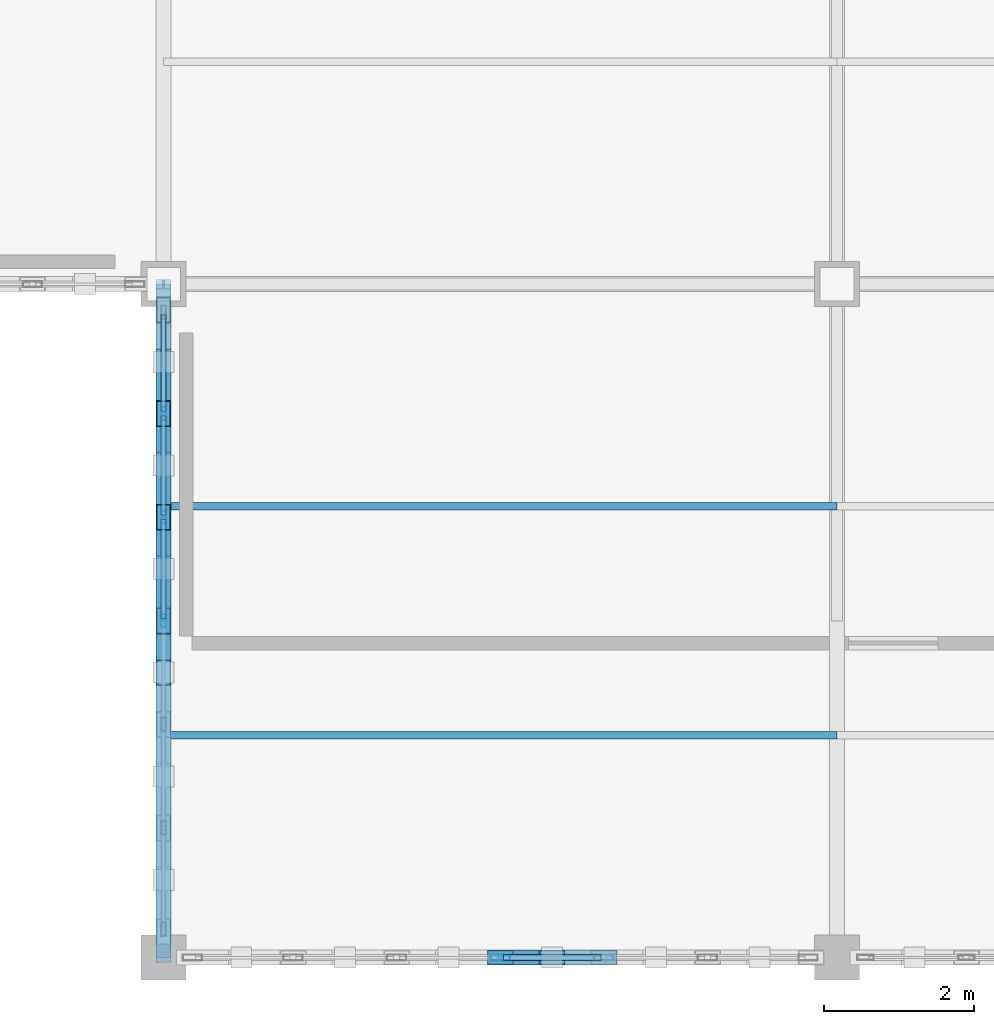
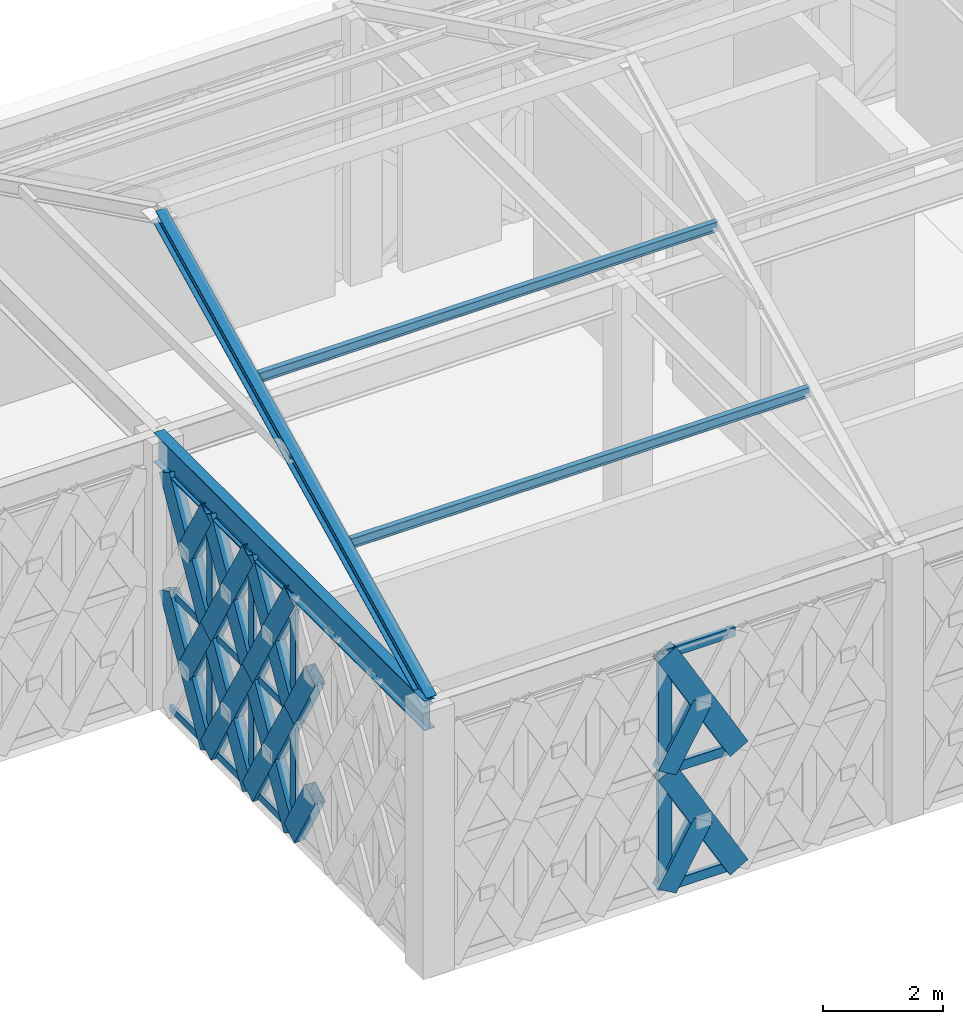
# One storey, part 3 of 32: 41 members, 1 beam, 2 elements without a shape of their own.
"""IFC4 building model written with IfcOpenShell, lengths in metres."""

from ifc_helpers import new_model, si_unit, direction, frame, origin, origin_2d, place, context, subcontext, project, spatial, hollow_rectangle, i_section, extrude, material, material_profile, profile_set, type_object, element, aggregate, save


model = new_model("IFC4")

# Units and contexts
model_context = context("Model", 3, precision=1e-05, world=origin(), true_north=direction((0.0, 1.0)))
body_context = subcontext(model_context, "Body", "Model", "MODEL_VIEW")
ifc_project = project(units=[si_unit("LENGTHUNIT", "METRE"), si_unit("AREAUNIT", "SQUARE_METRE"), si_unit("VOLUMEUNIT", "CUBIC_METRE"), si_unit("PLANEANGLEUNIT", "RADIAN"), si_unit("MASSUNIT", "GRAM", prefix="KILO")], contexts=[model_context])

# Site, building, storey
site_placement = place(None, origin())
site = spatial("IfcSite", under=ifc_project, at=site_placement, CompositionType="ELEMENT")
building_placement = place(site_placement, origin())
building = spatial("IfcBuilding", under=site, at=building_placement, Name="Haizhuo Lancet Aquarium", CompositionType="ELEMENT")
storey_placement = place(building_placement, frame((0.0, 0.0, 27.0)))
storey = spatial("IfcBuildingStorey", under=building, at=storey_placement, Name="L05", CompositionType="ELEMENT", Elevation=27.0)

# Beam
ifc_material_1 = material(Name="Steel S355", Category="steel")
ifc_material_profile_1 = material_profile(ifc_material_1, i_section(OverallWidth=0.199951171875, OverallDepth=0.60009765625, WebThickness=0.010986328125, FlangeThickness=0.01708984375, FilletRadius=0.02197265625, at=origin_2d()), Name="HN 600x200x11x17")
ifc_profile_set_1 = profile_set([ifc_material_profile_1], Name="Steel S355")
beam_type = type_object("IfcBeamType", Name="BM-ST-HN600", PredefinedType="BEAM", material=ifc_profile_set_1)
beam_placement = place(storey_placement, frame((-72.0, -27.0, 5.10009765625), z_axis=(0.0, 1.0, 0.0), x_axis=(-1.0, 0.0, 0.0)))
element("IfcBeam", 1, at=beam_placement, inside=storey, type_object=beam_type, Name="L05 V6 primary girder BM-L05-V6-004", PredefinedType="BEAM", context=body_context, shape_type="SweptSolid", body=[
    extrude(i_section(OverallWidth=0.199951171875, OverallDepth=0.60009765625, WebThickness=0.010986328125, FlangeThickness=0.01708984375, FilletRadius=0.02197265625, at=origin_2d()), origin(), (0.0, 0.0, 1.0), 9.0),
])

# Curtain wall, members
ifc_material_2 = material(Name="Aluminium 6063-T6", Category="aluminium")
curtain_wall_type = type_object("IfcCurtainWallType", Name="CWD-8310x4800", PredefinedType="NOTDEFINED", material=ifc_material_2)
curtain_wall_1_placement = place(storey_placement, origin())
curtain_wall_1 = element("IfcCurtainWall", 2, at=curtain_wall_1_placement, inside=storey, type_object=curtain_wall_type, Name="L05 curtain wall CW-V6-L05-271", PredefinedType="NOTDEFINED")
ifc_material_profile_2 = material_profile(ifc_material_2, hollow_rectangle(XDim=0.06494140625, YDim=0.179931640625, WallThickness=0.00390625, at=origin_2d()), Name="ALU-M 65x180x4")
ifc_profile_set_2 = profile_set([ifc_material_profile_2], Name="Aluminium 6063-T6")
member_type_1 = type_object("IfcMemberType", Name="CW-MUL-1", PredefinedType="MULLION", material=ifc_profile_set_2)
member_1_placement = place(storey_placement, frame((-72.0, -22.5, 0.0), z_axis=(0.0, 0.0, 1.0), x_axis=(-1.0, 0.0, 0.0)))
member_1 = element("IfcMember", 3, at=member_1_placement, type_object=member_type_1, Name="CWD-83x48 mullion 4", PredefinedType="MULLION", context=body_context, shape_type="SweptSolid", body=[
    extrude(hollow_rectangle(XDim=0.06494140625, YDim=0.179931640625, WallThickness=0.00390625, at=origin_2d()), origin(), (0.0, 0.0, 1.0), 4.800048828125),
])
member_2_placement = place(storey_placement, frame((-72.0, -21.114990234375, 0.0), z_axis=(0.0, 0.0, 1.0), x_axis=(-1.0, 0.0, 0.0)))
member_2 = element("IfcMember", 4, at=member_2_placement, type_object=member_type_1, Name="CWD-83x48 mullion 5", PredefinedType="MULLION", context=body_context, shape_type="SweptSolid", body=[
    extrude(hollow_rectangle(XDim=0.06494140625, YDim=0.179931640625, WallThickness=0.00390625, at=origin_2d()), origin(), (0.0, 0.0, 1.0), 4.800048828125),
])
member_3_placement = place(storey_placement, frame((-72.0, -19.72998046875, 0.0), z_axis=(0.0, 0.0, 1.0), x_axis=(-1.0, 0.0, 0.0)))
member_3 = element("IfcMember", 5, at=member_3_placement, type_object=member_type_1, Name="CWD-83x48 mullion 6", PredefinedType="MULLION", context=body_context, shape_type="SweptSolid", body=[
    extrude(hollow_rectangle(XDim=0.06494140625, YDim=0.179931640625, WallThickness=0.00390625, at=origin_2d()), origin(), (0.0, 0.0, 1.0), 4.800048828125),
])

# Curtain wall, member
curtain_wall_2_placement = place(storey_placement, origin())
curtain_wall_2 = element("IfcCurtainWall", 6, at=curtain_wall_2_placement, inside=storey, type_object=curtain_wall_type, Name="L05 curtain wall CW-V6-L05-270", PredefinedType="NOTDEFINED")
ifc_material_profile_3 = material_profile(ifc_material_2, hollow_rectangle(XDim=0.080078125, YDim=0.260009765625, WallThickness=0.0048828125, at=origin_2d()), Name="ALU-M 80x260x5")
ifc_profile_set_3 = profile_set([ifc_material_profile_3], Name="Aluminium 6063-T6")
member_type_2 = type_object("IfcMemberType", Name="CW-MUL-3", PredefinedType="MULLION", material=ifc_profile_set_3)
member_4_placement = place(storey_placement, frame((-67.5, -27.0, 0.0), z_axis=(0.0, 0.0, 1.0), x_axis=(0.0, -1.0, 0.0)))
member_4 = element("IfcMember", 7, at=member_4_placement, type_object=member_type_2, Name="CWD-83x48 mullion 4", PredefinedType="MULLION", context=body_context, shape_type="SweptSolid", body=[
    extrude(hollow_rectangle(XDim=0.080078125, YDim=0.260009765625, WallThickness=0.0048828125, at=origin_2d()), origin(), (0.0, 0.0, 1.0), 4.800048828125),
])

# Member
ifc_material_profile_4 = material_profile(ifc_material_2, hollow_rectangle(XDim=0.06494140625, YDim=0.139892578125, WallThickness=0.00390625, at=origin_2d()), Name="ALU-T 65x140x4")
ifc_profile_set_4 = profile_set([ifc_material_profile_4], Name="Aluminium 6063-T6")
member_type_3 = type_object("IfcMemberType", Name="CW-TRN-1", PredefinedType="NOTDEFINED", material=ifc_profile_set_4)
member_5_placement = place(storey_placement, frame((-72.0, -22.468017578125, 0.031982421875), z_axis=(0.0, 1.0, 0.0), x_axis=(-1.0, 0.0, 0.0)))
member_5 = element("IfcMember", 8, at=member_5_placement, type_object=member_type_3, Name="CWD-83x48 transom 4.1", ObjectType="TRANSOM", PredefinedType="USERDEFINED", context=body_context, shape_type="SweptSolid", body=[
    extrude(hollow_rectangle(XDim=0.06494140625, YDim=0.139892578125, WallThickness=0.00390625, at=origin_2d()), origin(), (0.0, 0.0, 1.0), 1.320068359375),
])

member_6_placement = place(storey_placement, frame((-72.0, -22.468017578125, 2.39990234375), z_axis=(0.0, 1.0, 0.0), x_axis=(-1.0, 0.0, 0.0)))
member_6 = element("IfcMember", 9, at=member_6_placement, type_object=member_type_3, Name="CWD-83x48 transom 4.2", ObjectType="TRANSOM", PredefinedType="USERDEFINED", context=body_context, shape_type="SweptSolid", body=[
    extrude(hollow_rectangle(XDim=0.06494140625, YDim=0.139892578125, WallThickness=0.00390625, at=origin_2d()), origin(), (0.0, 0.0, 1.0), 1.320068359375),
])

member_7_placement = place(storey_placement, frame((-72.0, -22.468017578125, 4.76806640625), z_axis=(0.0, 1.0, 0.0), x_axis=(-1.0, 0.0, 0.0)))
member_7 = element("IfcMember", 10, at=member_7_placement, type_object=member_type_3, Name="CWD-83x48 transom 4.3", ObjectType="TRANSOM", PredefinedType="USERDEFINED", context=body_context, shape_type="SweptSolid", body=[
    extrude(hollow_rectangle(XDim=0.06494140625, YDim=0.139892578125, WallThickness=0.00390625, at=origin_2d()), origin(), (0.0, 0.0, 1.0), 1.320068359375),
])

member_8_placement = place(storey_placement, frame((-72.0, -21.08203125, 0.031982421875), z_axis=(0.0, 1.0, 0.0), x_axis=(-1.0, 0.0, 0.0)))
member_8 = element("IfcMember", 11, at=member_8_placement, type_object=member_type_3, Name="CWD-83x48 transom 5.1", ObjectType="TRANSOM", PredefinedType="USERDEFINED", context=body_context, shape_type="SweptSolid", body=[
    extrude(hollow_rectangle(XDim=0.06494140625, YDim=0.139892578125, WallThickness=0.00390625, at=origin_2d()), origin(), (0.0, 0.0, 1.0), 1.320068359375),
])

member_9_placement = place(storey_placement, frame((-72.0, -21.08203125, 2.39990234375), z_axis=(0.0, 1.0, 0.0), x_axis=(-1.0, 0.0, 0.0)))
member_9 = element("IfcMember", 12, at=member_9_placement, type_object=member_type_3, Name="CWD-83x48 transom 5.2", ObjectType="TRANSOM", PredefinedType="USERDEFINED", context=body_context, shape_type="SweptSolid", body=[
    extrude(hollow_rectangle(XDim=0.06494140625, YDim=0.139892578125, WallThickness=0.00390625, at=origin_2d()), origin(), (0.0, 0.0, 1.0), 1.320068359375),
])

member_10_placement = place(storey_placement, frame((-72.0, -21.08203125, 4.76806640625), z_axis=(0.0, 1.0, 0.0), x_axis=(-1.0, 0.0, 0.0)))
member_10 = element("IfcMember", 13, at=member_10_placement, type_object=member_type_3, Name="CWD-83x48 transom 5.3", ObjectType="TRANSOM", PredefinedType="USERDEFINED", context=body_context, shape_type="SweptSolid", body=[
    extrude(hollow_rectangle(XDim=0.06494140625, YDim=0.139892578125, WallThickness=0.00390625, at=origin_2d()), origin(), (0.0, 0.0, 1.0), 1.320068359375),
])

member_11_placement = place(storey_placement, frame((-72.0, -19.697021484375, 0.031982421875), z_axis=(0.0, 1.0, 0.0), x_axis=(-1.0, 0.0, 0.0)))
member_11 = element("IfcMember", 14, at=member_11_placement, type_object=member_type_3, Name="CWD-83x48 transom 6.1", ObjectType="TRANSOM", PredefinedType="USERDEFINED", context=body_context, shape_type="SweptSolid", body=[
    extrude(hollow_rectangle(XDim=0.06494140625, YDim=0.139892578125, WallThickness=0.00390625, at=origin_2d()), origin(), (0.0, 0.0, 1.0), 1.287109375),
])

member_12_placement = place(storey_placement, frame((-72.0, -19.697021484375, 2.39990234375), z_axis=(0.0, 1.0, 0.0), x_axis=(-1.0, 0.0, 0.0)))
member_12 = element("IfcMember", 15, at=member_12_placement, type_object=member_type_3, Name="CWD-83x48 transom 6.2", ObjectType="TRANSOM", PredefinedType="USERDEFINED", context=body_context, shape_type="SweptSolid", body=[
    extrude(hollow_rectangle(XDim=0.06494140625, YDim=0.139892578125, WallThickness=0.00390625, at=origin_2d()), origin(), (0.0, 0.0, 1.0), 1.287109375),
])

member_13_placement = place(storey_placement, frame((-72.0, -19.697021484375, 4.76806640625), z_axis=(0.0, 1.0, 0.0), x_axis=(-1.0, 0.0, 0.0)))
member_13 = element("IfcMember", 16, at=member_13_placement, type_object=member_type_3, Name="CWD-83x48 transom 6.3", ObjectType="TRANSOM", PredefinedType="USERDEFINED", context=body_context, shape_type="SweptSolid", body=[
    extrude(hollow_rectangle(XDim=0.06494140625, YDim=0.139892578125, WallThickness=0.00390625, at=origin_2d()), origin(), (0.0, 0.0, 1.0), 1.287109375),
])

aggregate(curtain_wall_1, [member_1, member_2, member_3, member_5, member_6, member_7, member_8, member_9, member_10, member_11, member_12, member_13])

ifc_material_profile_5 = material_profile(ifc_material_2, hollow_rectangle(XDim=0.080078125, YDim=0.18994140625, WallThickness=0.0048828125, at=origin_2d()), Name="ALU-T 80x190x5")
ifc_profile_set_5 = profile_set([ifc_material_profile_5], Name="Aluminium 6063-T6")
member_type_4 = type_object("IfcMemberType", Name="CW-TRN-3", PredefinedType="NOTDEFINED", material=ifc_profile_set_5)
member_14_placement = place(storey_placement, frame((-66.155029296875, -27.0, 0.0400390625), z_axis=(-1.0, 0.0, 0.0), x_axis=(0.0, -1.0, 0.0)))
member_14 = element("IfcMember", 17, at=member_14_placement, type_object=member_type_4, Name="CWD-83x48 transom 3.1", ObjectType="TRANSOM", PredefinedType="USERDEFINED", context=body_context, shape_type="SweptSolid", body=[
    extrude(hollow_rectangle(XDim=0.080078125, YDim=0.18994140625, WallThickness=0.0048828125, at=origin_2d()), origin(), (0.0, 0.0, 1.0), 1.304931640625),
])

member_15_placement = place(storey_placement, frame((-66.155029296875, -27.0, 2.39990234375), z_axis=(-1.0, 0.0, 0.0), x_axis=(0.0, -1.0, 0.0)))
member_15 = element("IfcMember", 18, at=member_15_placement, type_object=member_type_4, Name="CWD-83x48 transom 3.2", ObjectType="TRANSOM", PredefinedType="USERDEFINED", context=body_context, shape_type="SweptSolid", body=[
    extrude(hollow_rectangle(XDim=0.080078125, YDim=0.18994140625, WallThickness=0.0048828125, at=origin_2d()), origin(), (0.0, 0.0, 1.0), 1.304931640625),
])

member_16_placement = place(storey_placement, frame((-66.155029296875, -27.0, 4.760009765625), z_axis=(-1.0, 0.0, 0.0), x_axis=(0.0, -1.0, 0.0)))
member_16 = element("IfcMember", 19, at=member_16_placement, type_object=member_type_4, Name="CWD-83x48 transom 3.3", ObjectType="TRANSOM", PredefinedType="USERDEFINED", context=body_context, shape_type="SweptSolid", body=[
    extrude(hollow_rectangle(XDim=0.080078125, YDim=0.18994140625, WallThickness=0.0048828125, at=origin_2d()), origin(), (0.0, 0.0, 1.0), 1.304931640625),
])

aggregate(curtain_wall_2, [member_4, member_14, member_15, member_16])

# Members
ifc_material_profile_6 = material_profile(ifc_material_1, hollow_rectangle(XDim=0.199951171875, YDim=0.39990234375, WallThickness=0.011962890625, at=origin_2d()), Name="RHS 200x400x12")
ifc_profile_set_6 = profile_set([ifc_material_profile_6], Name="Steel S355")
member_type_5 = type_object("IfcMemberType", Name="MEM-LB-RHS200x400", PredefinedType="BRACE", material=ifc_profile_set_6)
member_17_placement = place(storey_placement, frame((-66.114990234375, -27.0, 0.0), z_axis=(-0.499844491261, 0.0, 0.866115168182), x_axis=(0.0, -1.0, 0.0)))
element("IfcMember", 20, at=member_17_placement, inside=storey, type_object=member_type_5, Name="Gothic lancet continuous diagonal brace CW-V6-L05-270 5A", PredefinedType="BRACE", context=body_context, shape_type="SweptSolid", body=[
    extrude(hollow_rectangle(XDim=0.199951171875, YDim=0.39990234375, WallThickness=0.011962890625, at=origin_2d()), origin(), (0.0, 0.0, 1.0), 2.77099609375),
])
member_18_placement = place(storey_placement, frame((-67.5, -27.0, 0.0), z_axis=(0.499513903435, 0.0, 0.86630586993), x_axis=(0.0, 1.0, 0.0)))
element("IfcMember", 21, at=member_18_placement, inside=storey, type_object=member_type_5, Name="Gothic lancet split diagonal brace CW-V6-L05-270 5B1", PredefinedType="BRACE", context=body_context, shape_type="SweptSolid", body=[
    extrude(hollow_rectangle(XDim=0.199951171875, YDim=0.39990234375, WallThickness=0.011962890625, at=origin_2d()), origin(), (0.0, 0.0, 1.0), 1.38525390625),
])
member_19_placement = place(storey_placement, frame((-66.114990234375, -27.0, 2.39990234375), z_axis=(-0.499806349121, 0.0, 0.866137179307), x_axis=(0.0, -1.0, 0.0)))
element("IfcMember", 22, at=member_19_placement, inside=storey, type_object=member_type_5, Name="Gothic lancet continuous diagonal brace CW-V6-L05-270 6A", PredefinedType="BRACE", context=body_context, shape_type="SweptSolid", body=[
    extrude(hollow_rectangle(XDim=0.199951171875, YDim=0.39990234375, WallThickness=0.011962890625, at=origin_2d()), origin(), (0.0, 0.0, 1.0), 2.77099609375),
])
member_20_placement = place(storey_placement, frame((-67.5, -27.0, 2.39990234375), z_axis=(0.499437640892, 0.0, 0.866349838611), x_axis=(0.0, 1.0, 0.0)))
element("IfcMember", 23, at=member_20_placement, inside=storey, type_object=member_type_5, Name="Gothic lancet split diagonal brace CW-V6-L05-270 6B1", PredefinedType="BRACE", context=body_context, shape_type="SweptSolid", body=[
    extrude(hollow_rectangle(XDim=0.199951171875, YDim=0.39990234375, WallThickness=0.011962890625, at=origin_2d()), origin(), (0.0, 0.0, 1.0), 1.38525390625),
])
member_21_placement = place(storey_placement, frame((-72.0, -22.5, 0.0), z_axis=(0.0, -0.500174860769, 0.865924424332), x_axis=(1.0, 0.0, 0.0)))
element("IfcMember", 24, at=member_21_placement, inside=storey, type_object=member_type_5, Name="Gothic lancet split diagonal brace CW-V6-L05-271 5B1", PredefinedType="BRACE", context=body_context, shape_type="SweptSolid", body=[
    extrude(hollow_rectangle(XDim=0.199951171875, YDim=0.39990234375, WallThickness=0.011962890625, at=origin_2d()), origin(), (0.0, 0.0, 1.0), 1.3857421875),
])
member_22_placement = place(storey_placement, frame((-72.0, -22.5, 2.39990234375), z_axis=(0.0, -0.500098564532, 0.865968490046), x_axis=(1.0, 0.0, 0.0)))
element("IfcMember", 25, at=member_22_placement, inside=storey, type_object=member_type_5, Name="Gothic lancet split diagonal brace CW-V6-L05-271 6B1", PredefinedType="BRACE", context=body_context, shape_type="SweptSolid", body=[
    extrude(hollow_rectangle(XDim=0.199951171875, YDim=0.39990234375, WallThickness=0.011962890625, at=origin_2d()), origin(), (0.0, 0.0, 1.0), 1.385986328125),
])
member_23_placement = place(storey_placement, frame((-72.0, -22.5, 0.0), z_axis=(0.0, 0.499844491261, 0.866115168182), x_axis=(-1.0, 0.0, 0.0)))
element("IfcMember", 26, at=member_23_placement, inside=storey, type_object=member_type_5, Name="Gothic lancet continuous diagonal brace CW-V6-L05-271 7A", PredefinedType="BRACE", context=body_context, shape_type="SweptSolid", body=[
    extrude(hollow_rectangle(XDim=0.199951171875, YDim=0.39990234375, WallThickness=0.011962890625, at=origin_2d()), origin(), (0.0, 0.0, 1.0), 2.77099609375),
])
member_24_placement = place(storey_placement, frame((-72.0, -21.114990234375, 0.0), z_axis=(0.0, -0.499513903435, 0.86630586993), x_axis=(1.0, 0.0, 0.0)))
element("IfcMember", 27, at=member_24_placement, inside=storey, type_object=member_type_5, Name="Gothic lancet split diagonal brace CW-V6-L05-271 7B1", PredefinedType="BRACE", context=body_context, shape_type="SweptSolid", body=[
    extrude(hollow_rectangle(XDim=0.199951171875, YDim=0.39990234375, WallThickness=0.011962890625, at=origin_2d()), origin(), (0.0, 0.0, 1.0), 1.38525390625),
])
member_25_placement = place(storey_placement, frame((-72.0, -21.806884765625, 1.199951171875), z_axis=(0.0, -0.500174860769, 0.865924424332), x_axis=(1.0, 0.0, 0.0)))
element("IfcMember", 28, at=member_25_placement, inside=storey, type_object=member_type_5, Name="Gothic lancet split diagonal brace CW-V6-L05-271 7B2", PredefinedType="BRACE", context=body_context, shape_type="SweptSolid", body=[
    extrude(hollow_rectangle(XDim=0.199951171875, YDim=0.39990234375, WallThickness=0.011962890625, at=origin_2d()), origin(), (0.0, 0.0, 1.0), 1.3857421875),
])
member_26_placement = place(storey_placement, frame((-72.0, -22.5, 2.39990234375), z_axis=(0.0, 0.499806349121, 0.866137179307), x_axis=(-1.0, 0.0, 0.0)))
element("IfcMember", 29, at=member_26_placement, inside=storey, type_object=member_type_5, Name="Gothic lancet continuous diagonal brace CW-V6-L05-271 8A", PredefinedType="BRACE", context=body_context, shape_type="SweptSolid", body=[
    extrude(hollow_rectangle(XDim=0.199951171875, YDim=0.39990234375, WallThickness=0.011962890625, at=origin_2d()), origin(), (0.0, 0.0, 1.0), 2.77099609375),
])
member_27_placement = place(storey_placement, frame((-72.0, -21.114990234375, 2.39990234375), z_axis=(0.0, -0.499437640892, 0.866349838611), x_axis=(1.0, 0.0, 0.0)))
element("IfcMember", 30, at=member_27_placement, inside=storey, type_object=member_type_5, Name="Gothic lancet split diagonal brace CW-V6-L05-271 8B1", PredefinedType="BRACE", context=body_context, shape_type="SweptSolid", body=[
    extrude(hollow_rectangle(XDim=0.199951171875, YDim=0.39990234375, WallThickness=0.011962890625, at=origin_2d()), origin(), (0.0, 0.0, 1.0), 1.38525390625),
])
member_28_placement = place(storey_placement, frame((-72.0, -21.806884765625, 3.60009765625), z_axis=(0.0, -0.500174860769, 0.865924424332), x_axis=(1.0, 0.0, 0.0)))
element("IfcMember", 31, at=member_28_placement, inside=storey, type_object=member_type_5, Name="Gothic lancet split diagonal brace CW-V6-L05-271 8B2", PredefinedType="BRACE", context=body_context, shape_type="SweptSolid", body=[
    extrude(hollow_rectangle(XDim=0.199951171875, YDim=0.39990234375, WallThickness=0.011962890625, at=origin_2d()), origin(), (0.0, 0.0, 1.0), 1.3857421875),
])
member_29_placement = place(storey_placement, frame((-72.0, -21.114990234375, 0.0), z_axis=(0.0, 0.499844491261, 0.866115168182), x_axis=(-1.0, 0.0, 0.0)))
element("IfcMember", 32, at=member_29_placement, inside=storey, type_object=member_type_5, Name="Gothic lancet continuous diagonal brace CW-V6-L05-271 9A", PredefinedType="BRACE", context=body_context, shape_type="SweptSolid", body=[
    extrude(hollow_rectangle(XDim=0.199951171875, YDim=0.39990234375, WallThickness=0.011962890625, at=origin_2d()), origin(), (0.0, 0.0, 1.0), 2.77099609375),
])
member_30_placement = place(storey_placement, frame((-72.0, -19.72998046875, 0.0), z_axis=(0.0, -0.499646164767, 0.866229594296), x_axis=(1.0, 0.0, 0.0)))
element("IfcMember", 33, at=member_30_placement, inside=storey, type_object=member_type_5, Name="Gothic lancet split diagonal brace CW-V6-L05-271 9B1", PredefinedType="BRACE", context=body_context, shape_type="SweptSolid", body=[
    extrude(hollow_rectangle(XDim=0.199951171875, YDim=0.39990234375, WallThickness=0.011962890625, at=origin_2d()), origin(), (0.0, 0.0, 1.0), 1.38525390625),
])
member_31_placement = place(storey_placement, frame((-72.0, -20.422119140625, 1.199951171875), z_axis=(0.0, -0.500042739161, 0.866000726912), x_axis=(1.0, 0.0, 0.0)))
element("IfcMember", 34, at=member_31_placement, inside=storey, type_object=member_type_5, Name="Gothic lancet split diagonal brace CW-V6-L05-271 9B2", PredefinedType="BRACE", context=body_context, shape_type="SweptSolid", body=[
    extrude(hollow_rectangle(XDim=0.199951171875, YDim=0.39990234375, WallThickness=0.011962890625, at=origin_2d()), origin(), (0.0, 0.0, 1.0), 1.3857421875),
])
member_32_placement = place(storey_placement, frame((-72.0, -21.114990234375, 2.39990234375), z_axis=(0.0, 0.499806349121, 0.866137179307), x_axis=(-1.0, 0.0, 0.0)))
element("IfcMember", 35, at=member_32_placement, inside=storey, type_object=member_type_5, Name="Gothic lancet continuous diagonal brace CW-V6-L05-271 10A", PredefinedType="BRACE", context=body_context, shape_type="SweptSolid", body=[
    extrude(hollow_rectangle(XDim=0.199951171875, YDim=0.39990234375, WallThickness=0.011962890625, at=origin_2d()), origin(), (0.0, 0.0, 1.0), 2.77099609375),
])
member_33_placement = place(storey_placement, frame((-72.0, -19.72998046875, 2.39990234375), z_axis=(0.0, -0.49956989546, 0.866273582392), x_axis=(1.0, 0.0, 0.0)))
element("IfcMember", 36, at=member_33_placement, inside=storey, type_object=member_type_5, Name="Gothic lancet split diagonal brace CW-V6-L05-271 10B1", PredefinedType="BRACE", context=body_context, shape_type="SweptSolid", body=[
    extrude(hollow_rectangle(XDim=0.199951171875, YDim=0.39990234375, WallThickness=0.011962890625, at=origin_2d()), origin(), (0.0, 0.0, 1.0), 1.385498046875),
])
member_34_placement = place(storey_placement, frame((-72.0, -20.422119140625, 3.60009765625), z_axis=(0.0, -0.500042739161, 0.866000726912), x_axis=(1.0, 0.0, 0.0)))
element("IfcMember", 37, at=member_34_placement, inside=storey, type_object=member_type_5, Name="Gothic lancet split diagonal brace CW-V6-L05-271 10B2", PredefinedType="BRACE", context=body_context, shape_type="SweptSolid", body=[
    extrude(hollow_rectangle(XDim=0.199951171875, YDim=0.39990234375, WallThickness=0.011962890625, at=origin_2d()), origin(), (0.0, 0.0, 1.0), 1.3857421875),
])
member_35_placement = place(storey_placement, frame((-72.0, -19.72998046875, 0.0), z_axis=(0.0, 0.499844491261, 0.866115168182), x_axis=(-1.0, 0.0, 0.0)))
element("IfcMember", 38, at=member_35_placement, inside=storey, type_object=member_type_5, Name="Gothic lancet continuous diagonal brace CW-V6-L05-271 11A", PredefinedType="BRACE", context=body_context, shape_type="SweptSolid", body=[
    extrude(hollow_rectangle(XDim=0.199951171875, YDim=0.39990234375, WallThickness=0.011962890625, at=origin_2d()), origin(), (0.0, 0.0, 1.0), 2.77099609375),
])
member_36_placement = place(storey_placement, frame((-72.0, -19.0380859375, 1.199951171875), z_axis=(0.0, -0.499513903435, 0.86630586993), x_axis=(1.0, 0.0, 0.0)))
element("IfcMember", 39, at=member_36_placement, inside=storey, type_object=member_type_5, Name="Gothic lancet split diagonal brace CW-V6-L05-271 11B2", PredefinedType="BRACE", context=body_context, shape_type="SweptSolid", body=[
    extrude(hollow_rectangle(XDim=0.199951171875, YDim=0.39990234375, WallThickness=0.011962890625, at=origin_2d()), origin(), (0.0, 0.0, 1.0), 1.38525390625),
])
member_37_placement = place(storey_placement, frame((-72.0, -19.72998046875, 2.39990234375), z_axis=(0.0, 0.499806349121, 0.866137179307), x_axis=(-1.0, 0.0, 0.0)))
element("IfcMember", 40, at=member_37_placement, inside=storey, type_object=member_type_5, Name="Gothic lancet continuous diagonal brace CW-V6-L05-271 12A", PredefinedType="BRACE", context=body_context, shape_type="SweptSolid", body=[
    extrude(hollow_rectangle(XDim=0.199951171875, YDim=0.39990234375, WallThickness=0.011962890625, at=origin_2d()), origin(), (0.0, 0.0, 1.0), 2.77099609375),
])
member_38_placement = place(storey_placement, frame((-72.0, -19.0380859375, 3.60009765625), z_axis=(0.0, -0.499513903435, 0.86630586993), x_axis=(1.0, 0.0, 0.0)))
element("IfcMember", 41, at=member_38_placement, inside=storey, type_object=member_type_5, Name="Gothic lancet split diagonal brace CW-V6-L05-271 12B2", PredefinedType="BRACE", context=body_context, shape_type="SweptSolid", body=[
    extrude(hollow_rectangle(XDim=0.199951171875, YDim=0.39990234375, WallThickness=0.011962890625, at=origin_2d()), origin(), (0.0, 0.0, 1.0), 1.38525390625),
])
ifc_material_profile_7 = material_profile(ifc_material_1, i_section(OverallWidth=0.10009765625, OverallDepth=0.199951171875, WebThickness=0.005615234375, FlangeThickness=0.008056640625, FilletRadius=0.008056640625, at=origin_2d()), Name="HN 200x100x5.5x8")
ifc_profile_set_7 = profile_set([ifc_material_profile_7], Name="Steel S355")
member_type_6 = type_object("IfcMemberType", Name="MEM-PR-HN200", PredefinedType="PURLIN", material=ifc_profile_set_7)
for number, where, z_axis, x_axis, name in (
    (42, (-72.0, -24.030029296875, 6.72412109375), (1.0, 0.0, 0.0), (0.0, 1.0, 0.0), "V6 south roof purlin 1"),
    (43, (-72.0, -20.969970703125, 8.23095703125), (1.0, 0.0, 0.0), (0.0, 1.0, 0.0), "V6 south roof purlin 1"),
):
    element("IfcMember", number, at=place(storey_placement, frame(where, z_axis=z_axis, x_axis=x_axis)), inside=storey, type_object=member_type_6, Name=name, PredefinedType="PURLIN", context=body_context, shape_type="SweptSolid", body=[
        extrude(i_section(OverallWidth=0.10009765625, OverallDepth=0.199951171875, WebThickness=0.005615234375, FlangeThickness=0.008056640625, FilletRadius=0.008056640625, at=origin_2d()), origin(), (0.0, 0.0, 1.0), 9.0),
    ])
ifc_material_profile_8 = material_profile(ifc_material_1, i_section(OverallWidth=0.199951171875, OverallDepth=0.2939453125, WebThickness=0.008056640625, FlangeThickness=0.011962890625, FilletRadius=0.01611328125, at=origin_2d()), Name="HM 294x200x8x12")
ifc_profile_set_8 = profile_set([ifc_material_profile_8], Name="Steel S355")
member_type_7 = type_object("IfcMemberType", Name="MEM-RF-HM294", PredefinedType="RAFTER", material=ifc_profile_set_8)
member_39_placement = place(storey_placement, frame((-72.0, -27.0, 5.3701171875), z_axis=(0.0, 0.897010851352, 0.44200852091), x_axis=(-1.0, 0.0, 0.0)))
element("IfcMember", 44, at=member_39_placement, inside=storey, type_object=member_type_7, Name="V6 Gothic pitched roof south rafter 1", PredefinedType="RAFTER", context=body_context, shape_type="SweptSolid", body=[
    extrude(i_section(OverallWidth=0.199951171875, OverallDepth=0.2939453125, WebThickness=0.008056640625, FlangeThickness=0.011962890625, FilletRadius=0.01611328125, at=origin_2d()), origin(), (0.0, 0.0, 1.0), 10.033203125),
])

save(model, "model.ifc")
